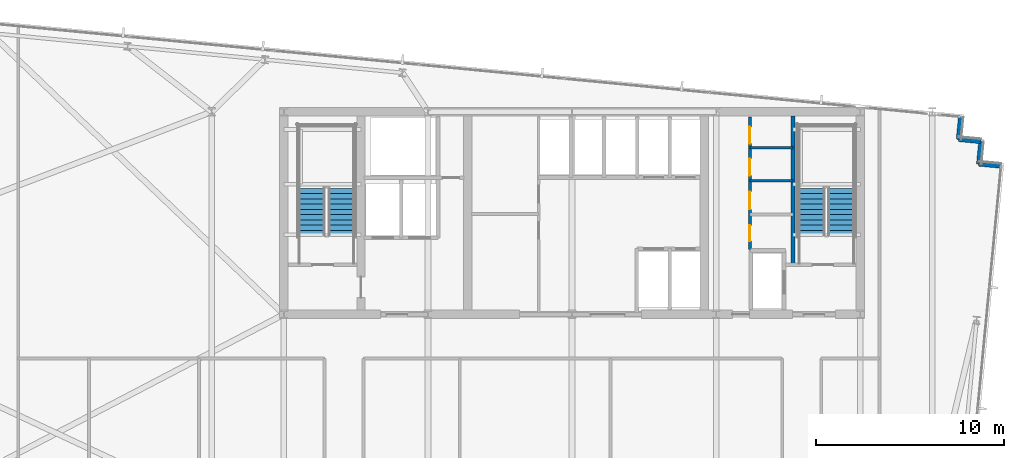
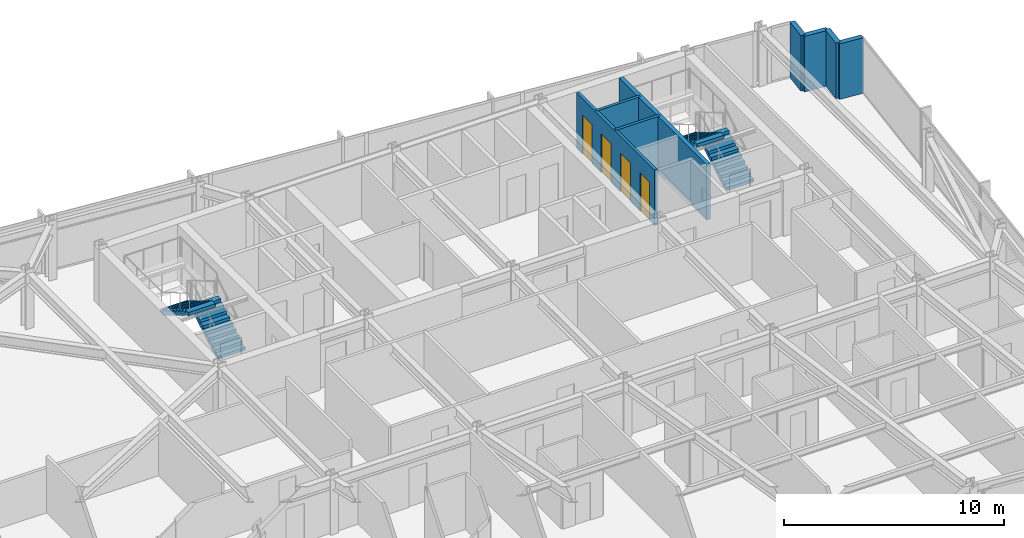
# One storey, part 32 of 37: 8 walls, 4 doors, 4 stair flights, 4 openings, 2 elements without a shape of their own.
"""IFC4 building model written with IfcOpenShell, lengths in metres."""

from ifc_helpers import new_model, si_unit, direction, frame, frame_2d, origin, place, context, subcontext, project, spatial, polyline, rectangle, outline, extrude, material, layer, layer_set, type_object, element, fill, aggregate, save


model = new_model("IFC4")

# Units and contexts
model_context = context("Model", 3, precision=1e-05, world=origin(), true_north=direction((0.0, 1.0)))
body_context = subcontext(model_context, "Body", "Model", "MODEL_VIEW")
ifc_project = project(units=[si_unit("LENGTHUNIT", "METRE"), si_unit("AREAUNIT", "SQUARE_METRE"), si_unit("VOLUMEUNIT", "CUBIC_METRE"), si_unit("PLANEANGLEUNIT", "RADIAN"), si_unit("MASSUNIT", "GRAM", prefix="KILO")], contexts=[model_context])

# Site, building, storey
site_placement = place(None, origin())
site = spatial("IfcSite", under=ifc_project, at=site_placement, CompositionType="ELEMENT")
building_placement = place(site_placement, origin())
building = spatial("IfcBuilding", under=site, at=building_placement, Name="Yelkora Congress Tower", CompositionType="ELEMENT")
storey_placement = place(building_placement, frame((0.0, 0.0, 162.199951171875)))
storey = spatial("IfcBuildingStorey", under=building, at=storey_placement, Name="L44", CompositionType="ELEMENT", Elevation=162.199951171875)

# Walls
ifc_material_1 = material(Name="Concrete C50/60", Category="concrete")
ifc_layer_1 = layer(ifc_material_1, 0.219970703125)
ifc_layer_set_1 = layer_set([ifc_layer_1], Name="Concrete C50/60")
wall_type_1 = type_object("IfcWallType", Name="WALL-CORE-INT-220", PredefinedType="SHEAR", material=ifc_layer_set_1)
wall_1_placement = place(storey_placement, frame((50.179931640625, 38.050048828125, 0.0), z_axis=(0.0, 0.0, 1.0), x_axis=(0.0, 1.0, 0.0)))
element("IfcWall", 1, at=wall_1_placement, inside=storey, type_object=wall_type_1, Name="L44 ST02 West Stair Shear Wall", PredefinedType="SHEAR", context=body_context, shape_type="SweptSolid", body=[
    extrude(rectangle(XDim=7.925048828125, YDim=0.219970703125, at=frame_2d((3.96240234375, 0.0))), origin(), (0.0, 0.0, 1.0), 3.080078125),
])
ifc_material_2 = material(Name="Concrete C40/50", Category="concrete")
ifc_layer_2 = layer(ifc_material_2, 0.239990234375)
ifc_layer_set_2 = layer_set([ifc_layer_2], Name="Concrete C40/50")
wall_type_2 = type_object("IfcWallType", Name="WALL-EXT-LIMESTONE-240", PredefinedType="SOLIDWALL", material=ifc_layer_set_2)
for number, where, z_axis, x_axis, name in (
    (2, (59.108642578125, 45.923095703125, 0.0), (0.0, 0.0, 1.0), (-0.095817067274, -0.995398960025, 0.0), "L44 Serrated Corner Limestone Pier 11"),
    (3, (58.99365234375, 44.728515625, 0.0), (0.0, 0.0, 1.0), (0.995398960025, -0.095817067274, 0.0), "L44 Serrated Corner Limestone Pier 12"),
    (4, (60.188232421875, 44.613525390625, 0.0), (0.0, 0.0, 1.0), (-0.096018626938, -0.995379537303, 0.0), "L44 Serrated Corner Limestone Pier 13"),
    (5, (60.072998046875, 43.4189453125, 0.0), (0.0, 0.0, 1.0), (0.995398960025, -0.095817067274, 0.0), "L44 Serrated Corner Limestone Pier 14"),
):
    element("IfcWall", number, at=place(storey_placement, frame(where, z_axis=z_axis, x_axis=x_axis)), inside=storey, type_object=wall_type_2, Name=name, PredefinedType="SOLIDWALL", context=body_context, shape_type="SweptSolid", body=[
        extrude(rectangle(XDim=1.2001953125, YDim=0.239990234375, at=frame_2d((0.60009765625, 0.0))), origin(), (0.0, 0.0, 1.0), 3.080078125),
    ])
ifc_material_3 = material(Name="Acoustic metal-stud gypsum partition", Category="gypsum")
ifc_layer_3 = layer(ifc_material_3, 0.14990234375)
ifc_layer_set_3 = layer_set([ifc_layer_3], Name="Acoustic metal-stud gypsum partition")
wall_type_3 = type_object("IfcWallType", Name="WALL-INT-150-NR", PredefinedType="PARTITIONING", material=ifc_layer_set_3)
for number, where, z_axis, x_axis, name in (
    (6, (47.8798828125, 42.52001953125, 0.0), (0.0, 0.0, 1.0), (1.0, 0.0, 0.0), "L44 Partition Wall 25"),
    (7, (47.8798828125, 44.280029296875, 0.0), (0.0, 0.0, 1.0), (1.0, 0.0, 0.0), "L44 Partition Wall 26"),
):
    element("IfcWall", number, at=place(storey_placement, frame(where, z_axis=z_axis, x_axis=x_axis)), inside=storey, type_object=wall_type_3, Name=name, PredefinedType="PARTITIONING", context=body_context, shape_type="SweptSolid", body=[
        extrude(rectangle(XDim=2.300048828125, YDim=0.14990234375, at=frame_2d((1.14990234375, 0.0))), origin(), (0.0, 0.0, 1.0), 3.080078125),
    ])

# Wall, openings, doors
wall_2_placement = place(storey_placement, frame((47.8798828125, 38.85009765625, 0.0), z_axis=(0.0, 0.0, 1.0), x_axis=(0.0, 1.0, 0.0)))
wall_2 = element("IfcWall", 8, at=wall_2_placement, inside=storey, type_object=wall_type_3, Name="L44 Partition Wall 27", PredefinedType="PARTITIONING", context=body_context, shape_type="SweptSolid", body=[
    extrude(rectangle(XDim=7.06982421875, YDim=0.14990234375, at=frame_2d((3.534912109375, 0.0))), origin(), (0.0, 0.0, 1.0), 3.080078125),
])
opening_1_placement = place(wall_2_placement, frame((0.449951171875, 0.0, 0.0)))
opening_1 = element("IfcOpeningElement", 9, at=opening_1_placement, cuts=wall_2, Name="Opening DR-085N", PredefinedType="OPENING", context=body_context, shape_type="SweptSolid", body=[
    extrude(rectangle(XDim=0.85009765625, YDim=2.14990234375, at=frame_2d((0.425048828125, 1.074951171875))), frame((0.0, 0.0849609375, 0.0), z_axis=(0.0, -1.0, 0.0), x_axis=(1.0, 0.0, 0.0)), (0.0, 0.0, 1.0), 0.169921875),
])
opening_2_placement = place(wall_2_placement, frame((2.14990234375, 0.0, 0.0)))
opening_2 = element("IfcOpeningElement", 10, at=opening_2_placement, cuts=wall_2, Name="Opening DR-095N", PredefinedType="OPENING", context=body_context, shape_type="SweptSolid", body=[
    extrude(rectangle(XDim=0.949951171875, YDim=2.14990234375, at=frame_2d((0.47509765625, 1.074951171875))), frame((0.0, 0.0849609375, 0.0), z_axis=(0.0, -1.0, 0.0), x_axis=(1.0, 0.0, 0.0)), (0.0, 0.0, 1.0), 0.169921875),
])
opening_3_placement = place(wall_2_placement, frame((3.949951171875, 0.0, 0.0)))
opening_3 = element("IfcOpeningElement", 11, at=opening_3_placement, cuts=wall_2, Name="Opening DR-090N", PredefinedType="OPENING", context=body_context, shape_type="SweptSolid", body=[
    extrude(rectangle(XDim=0.89990234375, YDim=2.14990234375, at=frame_2d((0.449951171875, 1.074951171875))), frame((0.0, 0.0849609375, 0.0), z_axis=(0.0, -1.0, 0.0), x_axis=(1.0, 0.0, 0.0)), (0.0, 0.0, 1.0), 0.169921875),
])
opening_4_placement = place(wall_2_placement, frame((5.64990234375, 0.0, 0.0)))
opening_4 = element("IfcOpeningElement", 12, at=opening_4_placement, cuts=wall_2, Name="Opening DR-090N", PredefinedType="OPENING", context=body_context, shape_type="SweptSolid", body=[
    extrude(rectangle(XDim=0.89990234375, YDim=2.14990234375, at=frame_2d((0.449951171875, 1.074951171875))), frame((0.0, 0.0849609375, 0.0), z_axis=(0.0, -1.0, 0.0), x_axis=(1.0, 0.0, 0.0)), (0.0, 0.0, 1.0), 0.169921875),
])
ifc_material_4 = material(Name="Laminate service store door leaf", Category="wood")
door_type_1 = type_object("IfcDoorType", Name="DOOR-INT-850", OperationType="NOTDEFINED", PredefinedType="DOOR", material=ifc_material_4)
door_1_placement = place(opening_1_placement, origin())
door_1 = element("IfcDoor", 13, at=door_1_placement, inside=storey, type_object=door_type_1, Name="L44 Janitor Room Door", OperationType="SINGLE_SWING_RIGHT", OverallHeight=2.14990234375, OverallWidth=0.85009765625, PredefinedType="DOOR", context=body_context, shape_type="SweptSolid", body=[
    extrude(rectangle(XDim=0.85009765625, YDim=2.14990234375, at=frame_2d((0.425048828125, 1.074951171875))), frame((0.0, 0.02490234375, 0.0), z_axis=(0.0, -1.0, 0.0), x_axis=(1.0, 0.0, 0.0)), (0.0, 0.0, 1.0), 0.050048828125),
])
fill(opening_1, door_1)
ifc_material_5 = material(Name="Moisture-resistant laminate door leaf", Category="wood")
door_type_2 = type_object("IfcDoorType", Name="DOOR-INT-900", OperationType="NOTDEFINED", PredefinedType="DOOR", material=ifc_material_5)
door_2_placement = place(opening_3_placement, origin())
door_2 = element("IfcDoor", 14, at=door_2_placement, inside=storey, type_object=door_type_2, Name="L44 Male WC Door", OperationType="SINGLE_SWING_RIGHT", OverallHeight=2.14990234375, OverallWidth=0.89990234375, PredefinedType="DOOR", context=body_context, shape_type="SweptSolid", body=[
    extrude(rectangle(XDim=0.89990234375, YDim=2.14990234375, at=frame_2d((0.449951171875, 1.074951171875))), frame((0.0, 0.02490234375, 0.0), z_axis=(0.0, -1.0, 0.0), x_axis=(1.0, 0.0, 0.0)), (0.0, 0.0, 1.0), 0.050048828125),
])
fill(opening_3, door_2)
door_3_placement = place(opening_4_placement, origin())
door_3 = element("IfcDoor", 15, at=door_3_placement, inside=storey, type_object=door_type_2, Name="L44 Female WC Door", OperationType="SINGLE_SWING_LEFT", OverallHeight=2.14990234375, OverallWidth=0.89990234375, PredefinedType="DOOR", context=body_context, shape_type="SweptSolid", body=[
    extrude(rectangle(XDim=0.89990234375, YDim=2.14990234375, at=frame_2d((0.449951171875, 1.074951171875))), frame((0.0, 0.02490234375, 0.0), z_axis=(0.0, -1.0, 0.0), x_axis=(1.0, 0.0, 0.0)), (0.0, 0.0, 1.0), 0.050048828125),
])
fill(opening_4, door_3)
ifc_material_6 = material(Name="Acoustic laminated timber office door", Category="wood")
door_type_3 = type_object("IfcDoorType", Name="DOOR-INT-950", OperationType="NOTDEFINED", PredefinedType="DOOR", material=ifc_material_6)
door_4_placement = place(opening_2_placement, origin())
door_4 = element("IfcDoor", 16, at=door_4_placement, inside=storey, type_object=door_type_3, Name="L44 Accessible WC Door", OperationType="SINGLE_SWING_LEFT", OverallHeight=2.14990234375, OverallWidth=0.949951171875, PredefinedType="DOOR", context=body_context, shape_type="SweptSolid", body=[
    extrude(rectangle(XDim=0.949951171875, YDim=2.14990234375, at=frame_2d((0.47509765625, 1.074951171875))), frame((0.0, 0.02490234375, 0.0), z_axis=(0.0, -1.0, 0.0), x_axis=(1.0, 0.0, 0.0)), (0.0, 0.0, 1.0), 0.050048828125),
])
fill(opening_2, door_4)

# Stair, stair flights
stair_type = type_object("IfcStairType", Name="STAIR-HT-1420-R20-165", PredefinedType="HALF_TURN_STAIR", material=ifc_material_2)
stair_1_placement = place(storey_placement, origin())
stair_1 = element("IfcStair", 17, at=stair_1_placement, inside=storey, type_object=stair_type, Name="West Core Protected Exit Stair ST-01 (L44)", PredefinedType="HALF_TURN_STAIR")
stair_flight_type = type_object("IfcStairFlightType", Name="FLIGHT-1420-N10-R165-G280", PredefinedType="STRAIGHT", material=ifc_material_2)
stair_flight_1_placement = place(storey_placement, frame((26.110107421875, 39.60009765625, 0.0), z_axis=(0.0, 0.0, 1.0), x_axis=(0.0, 1.0, 0.0)))
stair_flight_1 = element("IfcStairFlight", 18, at=stair_flight_1_placement, type_object=stair_flight_type, Name="ST-01 L44 Flight 1", NumberOfRisers=10, NumberOfTreads=9, PredefinedType="STRAIGHT", RiserHeight=0.165, TreadLength=0.28, context=body_context, shape_type="SweptSolid", body=[
    extrude(outline(polyline([(0.0, 0.0), (0.0, 0.1650390625), (0.280029296875, 0.1650390625), (0.280029296875, 0.330078125), (0.56005859375, 0.330078125), (0.56005859375, 0.4951171875), (0.840087890625, 0.4951171875), (0.840087890625, 0.659912109375), (1.1201171875, 0.659912109375), (1.1201171875, 0.824951171875), (1.39990234375, 0.824951171875), (1.39990234375, 0.989990234375), (1.679931640625, 0.989990234375), (1.679931640625, 1.155029296875), (1.9599609375, 1.155029296875), (1.9599609375, 1.320068359375), (2.239990234375, 1.320068359375), (2.239990234375, 1.485107421875), (2.52001953125, 1.485107421875), (2.52001953125, 1.64990234375), (2.52001953125, 1.29931640625), (0.31494140625, 0.0), (0.0, 0.0)])), frame((0.0, 0.7099609375, 0.0), z_axis=(0.0, -1.0, 0.0), x_axis=(1.0, 0.0, 0.0)), (0.0, 0.0, 1.0), 1.419921875),
])
stair_flight_2_placement = place(storey_placement, frame((24.530029296875, 42.1201171875, 1.650146484375), z_axis=(0.0, 0.0, 1.0), x_axis=(0.0, -1.0, 0.0)))
stair_flight_2 = element("IfcStairFlight", 19, at=stair_flight_2_placement, type_object=stair_flight_type, Name="ST-01 L44 Flight 2", NumberOfRisers=10, NumberOfTreads=9, PredefinedType="STRAIGHT", RiserHeight=0.165, TreadLength=0.28, context=body_context, shape_type="SweptSolid", body=[
    extrude(outline(polyline([(0.0, 0.0), (0.0, 0.1650390625), (0.280029296875, 0.1650390625), (0.280029296875, 0.330078125), (0.56005859375, 0.330078125), (0.56005859375, 0.4951171875), (0.840087890625, 0.4951171875), (0.840087890625, 0.659912109375), (1.1201171875, 0.659912109375), (1.1201171875, 0.824951171875), (1.39990234375, 0.824951171875), (1.39990234375, 0.989990234375), (1.679931640625, 0.989990234375), (1.679931640625, 1.155029296875), (1.9599609375, 1.155029296875), (1.9599609375, 1.320068359375), (2.239990234375, 1.320068359375), (2.239990234375, 1.485107421875), (2.52001953125, 1.485107421875), (2.52001953125, 1.64990234375), (2.52001953125, 1.29931640625), (0.31494140625, 0.0), (0.0, 0.0)])), frame((0.0, 0.7099609375, 0.0), z_axis=(0.0, -1.0, 0.0), x_axis=(1.0, 0.0, 0.0)), (0.0, 0.0, 1.0), 1.419921875),
])
aggregate(stair_1, [stair_flight_1, stair_flight_2])

stair_2_placement = place(storey_placement, origin())
stair_2 = element("IfcStair", 20, at=stair_2_placement, inside=storey, type_object=stair_type, Name="East Core Protected Exit Stair ST-02 (L44)", PredefinedType="HALF_TURN_STAIR")
stair_flight_3_placement = place(storey_placement, frame((52.75, 39.60009765625, 0.0), z_axis=(0.0, 0.0, 1.0), x_axis=(0.0, 1.0, 0.0)))
stair_flight_3 = element("IfcStairFlight", 21, at=stair_flight_3_placement, type_object=stair_flight_type, Name="ST-02 L44 Flight 1", NumberOfRisers=10, NumberOfTreads=9, PredefinedType="STRAIGHT", RiserHeight=0.165, TreadLength=0.28, context=body_context, shape_type="SweptSolid", body=[
    extrude(outline(polyline([(0.0, 0.0), (0.0, 0.1650390625), (0.280029296875, 0.1650390625), (0.280029296875, 0.330078125), (0.56005859375, 0.330078125), (0.56005859375, 0.4951171875), (0.840087890625, 0.4951171875), (0.840087890625, 0.659912109375), (1.1201171875, 0.659912109375), (1.1201171875, 0.824951171875), (1.39990234375, 0.824951171875), (1.39990234375, 0.989990234375), (1.679931640625, 0.989990234375), (1.679931640625, 1.155029296875), (1.9599609375, 1.155029296875), (1.9599609375, 1.320068359375), (2.239990234375, 1.320068359375), (2.239990234375, 1.485107421875), (2.52001953125, 1.485107421875), (2.52001953125, 1.64990234375), (2.52001953125, 1.29931640625), (0.31494140625, 0.0), (0.0, 0.0)])), frame((0.0, 0.7099609375, 0.0), z_axis=(0.0, -1.0, 0.0), x_axis=(1.0, 0.0, 0.0)), (0.0, 0.0, 1.0), 1.419921875),
])
stair_flight_4_placement = place(storey_placement, frame((51.169921875, 42.1201171875, 1.650146484375), z_axis=(0.0, 0.0, 1.0), x_axis=(0.0, -1.0, 0.0)))
stair_flight_4 = element("IfcStairFlight", 22, at=stair_flight_4_placement, type_object=stair_flight_type, Name="ST-02 L44 Flight 2", NumberOfRisers=10, NumberOfTreads=9, PredefinedType="STRAIGHT", RiserHeight=0.165, TreadLength=0.28, context=body_context, shape_type="SweptSolid", body=[
    extrude(outline(polyline([(0.0, 0.0), (0.0, 0.1650390625), (0.280029296875, 0.1650390625), (0.280029296875, 0.330078125), (0.56005859375, 0.330078125), (0.56005859375, 0.4951171875), (0.840087890625, 0.4951171875), (0.840087890625, 0.659912109375), (1.1201171875, 0.659912109375), (1.1201171875, 0.824951171875), (1.39990234375, 0.824951171875), (1.39990234375, 0.989990234375), (1.679931640625, 0.989990234375), (1.679931640625, 1.155029296875), (1.9599609375, 1.155029296875), (1.9599609375, 1.320068359375), (2.239990234375, 1.320068359375), (2.239990234375, 1.485107421875), (2.52001953125, 1.485107421875), (2.52001953125, 1.64990234375), (2.52001953125, 1.29931640625), (0.31494140625, 0.0), (0.0, 0.0)])), frame((0.0, 0.7099609375, 0.0), z_axis=(0.0, -1.0, 0.0), x_axis=(1.0, 0.0, 0.0)), (0.0, 0.0, 1.0), 1.419921875),
])
aggregate(stair_2, [stair_flight_3, stair_flight_4])

save(model, "model.ifc")
